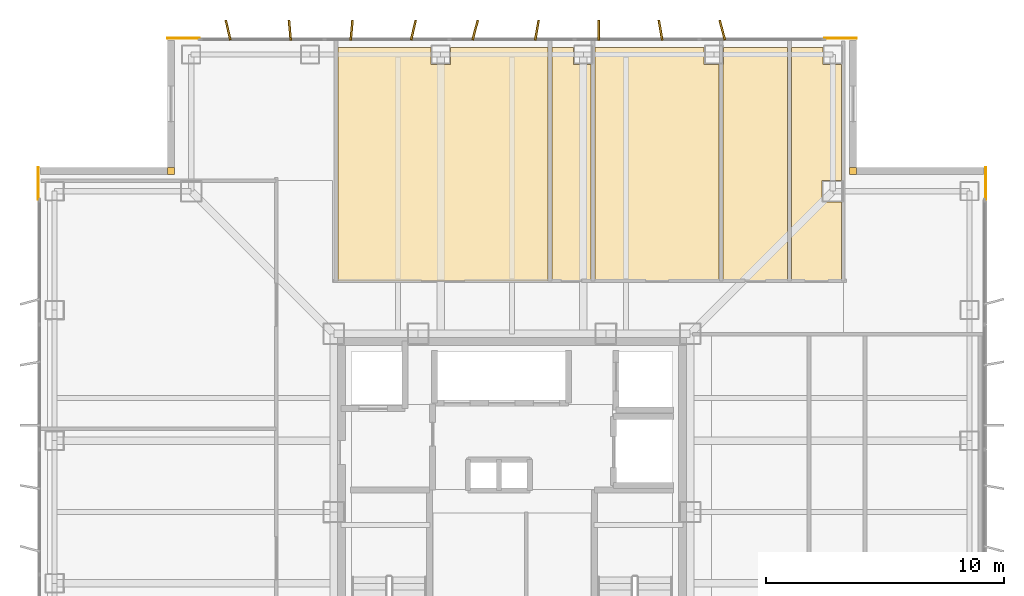
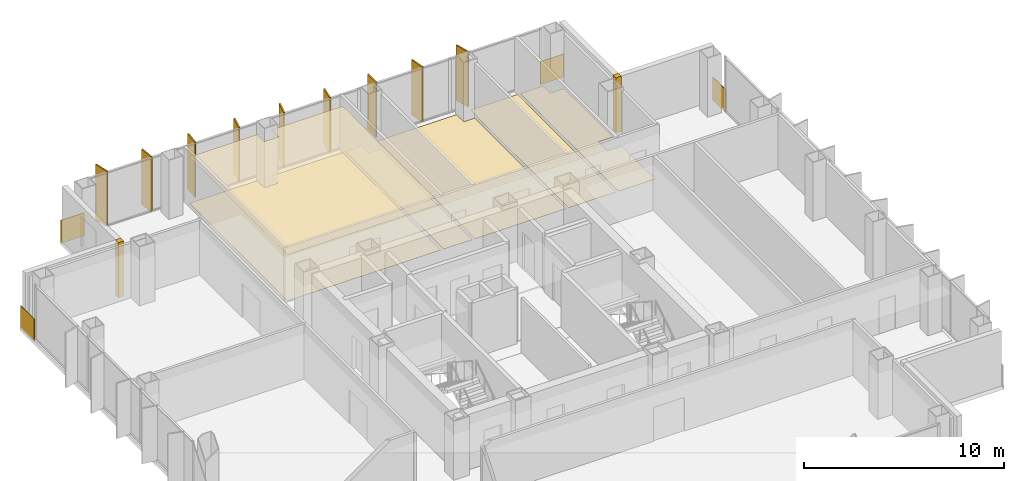
# One storey, part 17 of 17: 12 coverings, 9 shading devices.
"""IFC4 building model written with IfcOpenShell, lengths in metres."""

import ifcopenshell
import ifcopenshell.guid

model = None  # the IFC model being written
_history = None  # IfcOwnerHistory: only IFC2X3 demands one
_inside = {}  # id of a spatial element -> (the spatial element, [elements in it])
_under = {}  # id of a project, library or spatial element -> (it, [spatial elements below it])
_declared = {}  # id of a project -> (the project, [libraries it declares])
_typed = {}  # id of a type object -> (the type object, [elements of that type])
_made_of = {}  # id of a material, layer set ... -> (it, [elements and type objects made of it])


def new_model(schema):
    """Start an empty IFC model of exactly this schema.

    Asked for "IFC4X3", IfcOpenShell would pick the latest addendum, in which some entities
    have other attributes; the version numbers below select the first issue.
    IFC2X3 requires an IfcOwnerHistory on every rooted entity: one is made here for all.
    """
    global model, _history
    if schema == "IFC4X3":
        model = ifcopenshell.file(schema_version=(4, 3, 0, 0))
    else:
        model = ifcopenshell.file(schema=schema)
    _inside.clear()
    _under.clear()
    _declared.clear()
    _typed.clear()
    _made_of.clear()
    _history = None
    if model.schema == "IFC2X3":
        org = make("IfcOrganization", Name="unknown")
        user = make(
            "IfcPersonAndOrganization",
            ThePerson=make("IfcPerson", FamilyName="unknown"),
            TheOrganization=org,
        )
        app = make(
            "IfcApplication",
            ApplicationDeveloper=org,
            Version="unknown",
            ApplicationFullName="unknown",
            ApplicationIdentifier="unknown",
        )
        _history = make(
            "IfcOwnerHistory",
            OwningUser=user,
            OwningApplication=app,
            ChangeAction="ADDED",
            CreationDate=0,
        )
    return model


def make(cls, **values):
    """One entity of the class cls with the attributes given. An attribute that is None is left unset."""
    return model.create_entity(
        cls, **{name: value for name, value in values.items() if value is not None}
    )


def rooted(cls, **values):
    """An entity with a GlobalId (a new one), such as an element, a storey or a relation."""
    return make(cls, GlobalId=ifcopenshell.guid.new(), OwnerHistory=_history, **values)


def si_unit(unit_type, name, prefix=None):
    """IfcSIUnit, for example si_unit("LENGTHUNIT", "METRE", prefix="MILLI")."""
    return make("IfcSIUnit", UnitType=unit_type, Prefix=prefix, Name=name)


def assignment(units):
    """IfcUnitAssignment: the units of a project."""
    return None if units is None else make("IfcUnitAssignment", Units=units)


def point(xyz):
    """IfcCartesianPoint."""
    return None if xyz is None else make("IfcCartesianPoint", Coordinates=xyz)


def direction(xyz):
    """IfcDirection."""
    return None if xyz is None else make("IfcDirection", DirectionRatios=xyz)


def frame(location, z_axis=None, x_axis=None):
    """IfcAxis2Placement3D, a coordinate frame: its origin and axes. An axis left out is left unset."""
    return make(
        "IfcAxis2Placement3D",
        Location=point(location),
        Axis=direction(z_axis),
        RefDirection=direction(x_axis),
    )


def frame_2d(location, x_axis=None):
    """IfcAxis2Placement2D, a coordinate frame in the plane: its origin and x axis."""
    return make(
        "IfcAxis2Placement2D", Location=point(location), RefDirection=direction(x_axis)
    )


def origin():
    """The frame at (0, 0, 0) with its axes left unset."""
    return frame((0.0, 0.0, 0.0))


def origin_2d():
    """The frame at (0, 0) in the plane with its x axis left unset."""
    return frame_2d((0.0, 0.0))


def place(relative_to, where):
    """IfcLocalPlacement: puts the frame where relative to a parent placement (None: the world)."""
    return make(
        "IfcLocalPlacement", PlacementRelTo=relative_to, RelativePlacement=where
    )


def context(
    kind, dimensions, precision=None, world=None, true_north=None, identifier=None
):
    """IfcGeometricRepresentationContext, for example the 3D "Model" context."""
    return make(
        "IfcGeometricRepresentationContext",
        ContextIdentifier=identifier,
        ContextType=kind,
        CoordinateSpaceDimension=dimensions,
        Precision=precision,
        WorldCoordinateSystem=world,
        TrueNorth=true_north,
    )


def subcontext(parent, identifier, kind, view, scale=None):
    """IfcGeometricRepresentationSubContext, for example "Body" below "Model"."""
    return make(
        "IfcGeometricRepresentationSubContext",
        ContextIdentifier=identifier,
        ContextType=kind,
        ParentContext=parent,
        TargetScale=scale,
        TargetView=view,
    )


def project(units=None, contexts=None):
    """IfcProject with its units and contexts."""
    return rooted(
        "IfcProject",
        Name="project",
        RepresentationContexts=contexts,
        UnitsInContext=assignment(units),
    )


def spatial(cls, under=None, at=None, **own):
    """A site, building, storey or space (cls), placed at a placement, below another one or the project."""
    s = rooted(cls, ObjectPlacement=at, **own)
    if under is not None:
        _under.setdefault(under.id(), (under, []))[1].append(s)
    return s


def polyline(points):
    """IfcPolyline through the points."""
    return make("IfcPolyline", Points=[point(p) for p in points])


def profile(cls, at=None, kind="AREA", **sizes):
    """A parametric profile (cls). Its sizes go by their IFC names, for example OverallWidth=200.0."""
    return make(cls, ProfileType=kind, Position=at, **sizes)


def rectangle(**sizes):
    """IfcRectangleProfileDef."""
    return profile("IfcRectangleProfileDef", **sizes)


def outline(outer, holes=None, kind="AREA"):
    """IfcArbitraryClosedProfileDef: a profile drawn as a closed curve; with holes, ...WithVoids."""
    if holes is None:
        return make("IfcArbitraryClosedProfileDef", ProfileType=kind, OuterCurve=outer)
    return make(
        "IfcArbitraryProfileDefWithVoids",
        ProfileType=kind,
        OuterCurve=outer,
        InnerCurves=holes,
    )


def extrude(swept, where, along, depth):
    """IfcExtrudedAreaSolid: the profile swept, set in the frame where, extruded along a direction by depth."""
    return make(
        "IfcExtrudedAreaSolid",
        SweptArea=swept,
        Position=where,
        ExtrudedDirection=direction(along),
        Depth=depth,
    )


def shape(context_of_items, identifier, shape_type, items):
    """IfcShapeRepresentation: the items that make up one representation, for example the "Body"."""
    return make(
        "IfcShapeRepresentation",
        ContextOfItems=context_of_items,
        RepresentationIdentifier=identifier,
        RepresentationType=shape_type,
        Items=items,
    )


def material(Name=None, Category=None):
    """IfcMaterial."""
    return make("IfcMaterial", Name=Name, Category=Category)


def layer(
    of_material, thickness, ventilated=None, Name=None, Category=None, Priority=None
):
    """IfcMaterialLayer: one layer of a wall or slab, of a material (None: an air gap)."""
    return make(
        "IfcMaterialLayer",
        Material=of_material,
        LayerThickness=thickness,
        IsVentilated=ventilated,
        Name=Name,
        Category=Category,
        Priority=Priority,
    )


def layer_set(layers, Name=None):
    """IfcMaterialLayerSet."""
    return make("IfcMaterialLayerSet", MaterialLayers=layers, LayerSetName=Name)


def made_of(thing, what):
    """Note that an element or type object is made of a material, layer set ...; save() writes the relation."""
    if what is not None:
        _made_of.setdefault(what.id(), (what, []))[1].append(thing)
    return thing


def type_object(cls, material=None, **own):
    """A type object (cls), such as IfcWallType, which elements share."""
    return made_of(rooted(cls, **own), material)


def element(
    cls,
    number,
    at=None,
    inside=None,
    cuts=None,
    type_object=None,
    material=None,
    context=None,
    identifier="Body",
    shape_type=None,
    held_by="IfcProductDefinitionShape",
    body=None,
    shapes=None,
    **own,
):
    """One element of the class cls, such as IfcWall. Its Tag is "e" and its number.

    at: its placement. inside: the storey or other place that contains it. cuts: it is an
    opening in that element (IfcRelVoidsElement). A single representation is given by context,
    identifier, shape_type and body (its items); several are given by shapes. held_by: the class
    of the entity that holds the representations. save() writes the other relations.
    """
    e = rooted(cls, Tag="e%d" % number, ObjectPlacement=at, **own)
    if body is not None:
        shapes = [shape(context, identifier, shape_type, body)]
    if shapes is not None:
        e.Representation = make(held_by, Representations=shapes)
    if inside is not None:
        _inside.setdefault(inside.id(), (inside, []))[1].append(e)
    if cuts is not None:
        rooted(
            "IfcRelVoidsElement", RelatingBuildingElement=cuts, RelatedOpeningElement=e
        )
    if type_object is not None:
        _typed.setdefault(type_object.id(), (type_object, []))[1].append(e)
    return made_of(e, material)


def aggregate(whole, parts):
    """IfcRelAggregates: a whole, such as a stair, and the parts it consists of."""
    return rooted("IfcRelAggregates", RelatingObject=whole, RelatedObjects=parts)


def save(model, path):
    """Write the relations noted so far, then the file.

    IfcRelAggregates (storeys below a building ...), IfcRelContainedInSpatialStructure (elements
    in a storey), IfcRelDefinesByType, IfcRelAssociatesMaterial and IfcRelDeclares: one each for
    every whole, place, type object, material and project.
    """
    for whole, parts in _under.values():
        aggregate(whole, parts)
    for where, things in _inside.values():
        rooted(
            "IfcRelContainedInSpatialStructure",
            RelatedElements=things,
            RelatingStructure=where,
        )
    for kind, things in _typed.values():
        rooted("IfcRelDefinesByType", RelatedObjects=things, RelatingType=kind)
    for what, things in _made_of.values():
        rooted("IfcRelAssociatesMaterial", RelatedObjects=things, RelatingMaterial=what)
    for by, libraries in _declared.values():
        rooted("IfcRelDeclares", RelatingContext=by, RelatedDefinitions=libraries)
    model.write(path)


model = new_model("IFC4")

# Units and contexts
model_context = context("Model", 3, precision=1e-05, world=origin(), true_north=direction((0.0, 1.0)))
body_context = subcontext(model_context, "Body", "Model", "MODEL_VIEW")
ifc_project = project(units=[si_unit("LENGTHUNIT", "METRE"), si_unit("AREAUNIT", "SQUARE_METRE"), si_unit("VOLUMEUNIT", "CUBIC_METRE"), si_unit("PLANEANGLEUNIT", "RADIAN"), si_unit("MASSUNIT", "GRAM", prefix="KILO")], contexts=[model_context])

# Site, building, storey
site_placement = place(None, origin())
site = spatial("IfcSite", under=ifc_project, at=site_placement, CompositionType="ELEMENT")
building_placement = place(site_placement, origin())
building = spatial("IfcBuilding", under=site, at=building_placement, Name="Trevonay Congress Spire", CompositionType="ELEMENT")
storey_placement = place(building_placement, frame((0.0, 0.0, 184.199951171875)))
storey = spatial("IfcBuildingStorey", under=building, at=storey_placement, Name="L47", CompositionType="ELEMENT", Elevation=184.199951171875)

# Coverings
ifc_material_1 = material(Name="Acoustic Mineral Fibre Board", Category="gypsum")
ifc_layer_1 = layer(ifc_material_1, 0.02490234375, Name="Acoustic Mineral Fibre Board")
ifc_layer_set_1 = layer_set([ifc_layer_1], Name="Acoustic Mineral Fibre Board")
covering_type_1 = type_object("IfcCoveringType", Name="COV-CEIL-ACOUSTIC", PredefinedType="CEILING", material=ifc_layer_set_1)
covering_1_placement = place(storey_placement, frame((0.0, 0.0, 2.81005859375)))
element("IfcCovering", 1, at=covering_1_placement, inside=storey, type_object=covering_type_1, Name="L47 Witness Waiting Lounge acoustic suspended ceiling", PredefinedType="CEILING", context=body_context, shape_type="SweptSolid", body=[
    extrude(outline(polyline([(1.52001953125, 19.550048828125), (1.52001953125, 9.72998046875), (-7.320068359375, 9.72998046875), (-7.320068359375, 19.550048828125), (-3.409912109375, 19.550048828125), (-3.409912109375, 18.840087890625), (-2.590087890625, 18.840087890625), (-2.590087890625, 19.550048828125), (1.52001953125, 19.550048828125)])), origin(), (0.0, 0.0, 1.0), 0.02490234375),
])
ifc_material_2 = material(Name="Polished Granite Floor Tile", Category="masonry")
ifc_layer_2 = layer(ifc_material_2, 0.02001953125, Name="Polished Granite Floor Tile")
ifc_layer_set_2 = layer_set([ifc_layer_2], Name="Polished Granite Floor Tile")
covering_type_2 = type_object("IfcCoveringType", Name="COV-FLOOR-STONE", PredefinedType="FLOORING", material=ifc_layer_set_2)
covering_2_placement = place(storey_placement, origin())
element("IfcCovering", 2, at=covering_2_placement, inside=storey, type_object=covering_type_2, Name="L47 Accessible WC floor finish", PredefinedType="FLOORING", context=body_context, shape_type="SweptSolid", body=[
    extrude(outline(polyline([(3.330078125, 9.72998046875), (1.679931640625, 9.72998046875), (1.679931640625, 19.550048828125), (2.590087890625, 19.550048828125), (2.590087890625, 18.840087890625), (3.330078125, 18.840087890625), (3.330078125, 9.72998046875)])), origin(), (0.0, 0.0, 1.0), 0.02001953125),
])
covering_3_placement = place(storey_placement, origin())
element("IfcCovering", 3, at=covering_3_placement, inside=storey, type_object=covering_type_2, Name="L47 Floor Supplies and Copy Room floor finish", PredefinedType="FLOORING", context=body_context, shape_type="SweptSolid", body=[
    extrude(outline(polyline([(8.719970703125, 9.72998046875), (3.489990234375, 9.72998046875), (3.489990234375, 19.550048828125), (8.090087890625, 19.550048828125), (8.090087890625, 18.840087890625), (8.719970703125, 18.840087890625), (8.719970703125, 9.72998046875)])), origin(), (0.0, 0.0, 1.0), 0.02001953125),
])
covering_4_placement = place(storey_placement, origin())
element("IfcCovering", 4, at=covering_4_placement, inside=storey, type_object=covering_type_2, Name="L47 Female Restroom WC floor finish", PredefinedType="FLOORING", context=body_context, shape_type="SweptSolid", body=[
    extrude(outline(polyline([(11.60009765625, 19.550048828125), (11.60009765625, 9.72998046875), (8.8798828125, 9.72998046875), (8.8798828125, 18.840087890625), (8.909912109375, 18.840087890625), (8.909912109375, 19.550048828125), (11.60009765625, 19.550048828125)])), origin(), (0.0, 0.0, 1.0), 0.02001953125),
])
covering_5_placement = place(storey_placement, origin())
element("IfcCovering", 5, at=covering_5_placement, inside=storey, type_object=covering_type_2, Name="L47 Floor Supplies and Copy Room floor finish", PredefinedType="FLOORING", context=body_context, shape_type="SweptSolid", body=[
    extrude(outline(polyline([(13.8701171875, 9.72998046875), (11.760009765625, 9.72998046875), (11.760009765625, 19.550048828125), (13.090087890625, 19.550048828125), (13.090087890625, 18.840087890625), (13.8701171875, 18.840087890625), (13.8701171875, 13.9599609375), (13.0400390625, 13.9599609375), (13.0400390625, 13.0400390625), (13.8701171875, 13.0400390625), (13.8701171875, 9.72998046875)])), origin(), (0.0, 0.0, 1.0), 0.02001953125),
])
ifc_material_3 = material(Name="Engineered Oak Flooring", Category="wood")
ifc_layer_3 = layer(ifc_material_3, 0.01806640625, Name="Engineered Oak Flooring")
ifc_layer_set_3 = layer_set([ifc_layer_3], Name="Engineered Oak Flooring")
covering_type_3 = type_object("IfcCoveringType", Name="COV-FLOOR-TIMBER", PredefinedType="FLOORING", material=ifc_layer_set_3)
covering_6_placement = place(storey_placement, origin())
element("IfcCovering", 6, at=covering_6_placement, inside=storey, type_object=covering_type_3, Name="L47 Witness Waiting Lounge floor finish", PredefinedType="FLOORING", context=body_context, shape_type="SweptSolid", body=[
    extrude(outline(polyline([(1.52001953125, 19.550048828125), (1.52001953125, 9.72998046875), (-7.320068359375, 9.72998046875), (-7.320068359375, 19.550048828125), (-3.409912109375, 19.550048828125), (-3.409912109375, 18.840087890625), (-2.590087890625, 18.840087890625), (-2.590087890625, 19.550048828125), (1.52001953125, 19.550048828125)])), origin(), (0.0, 0.0, 1.0), 0.01806640625),
])
ifc_material_4 = material(Name="Pale Anodised Aluminium EN AW-6063-T6", Category="aluminium")
ifc_layer_4 = layer(ifc_material_4, 0.0400390625, Name="Pale Anodised Aluminium EN AW-6063-T6")
ifc_layer_set_4 = layer_set([ifc_layer_4], Name="Pale Anodised Aluminium EN AW-6063-T6")
covering_type_4 = type_object("IfcCoveringType", Name="COV-SPANDREL-PALE-METAL", PredefinedType="CLADDING", material=ifc_layer_set_4)
covering_7_placement = place(storey_placement, origin())
element("IfcCovering", 7, at=covering_7_placement, inside=storey, type_object=covering_type_4, Name="L47 NE re-entrant notch corner closure trim", PredefinedType="CLADDING", context=body_context, shape_type="SweptSolid", body=[
    extrude(outline(polyline([(14.199951171875, 14.199951171875), (14.5, 14.199951171875), (14.5, 14.5), (14.199951171875, 14.5), (14.199951171875, 14.199951171875)])), origin(), (0.0, 0.0, 1.0), 3.360107421875),
])
for number, where, z_axis, x_axis, name in (
    (8, (19.93994140625, 13.14990234375, -0.14990234375), (0.0, 0.0, 1.0), (0.0, 1.0, 0.0), "L47 NE corner pier spandrel cladding 1"),
    (9, (13.14990234375, 19.93994140625, -0.14990234375), (0.0, 0.0, 1.0), (1.0, 0.0, 0.0), "L47 NE corner pier spandrel cladding 2"),
):
    element("IfcCovering", number, at=place(storey_placement, frame(where, z_axis=z_axis, x_axis=x_axis)), inside=storey, type_object=covering_type_4, Name=name, PredefinedType="CLADDING", context=body_context, shape_type="SweptSolid", body=[
        extrude(rectangle(XDim=1.35009765625, YDim=0.0400390625, at=frame_2d((0.675048828125, 0.0))), origin(), (0.0, 0.0, 1.0), 1.39990234375),
    ])
covering_8_placement = place(storey_placement, origin())
element("IfcCovering", 10, at=covering_8_placement, inside=storey, type_object=covering_type_4, Name="L47 NW re-entrant notch corner closure trim", PredefinedType="CLADDING", context=body_context, shape_type="SweptSolid", body=[
    extrude(outline(polyline([(-14.5, 14.199951171875), (-14.199951171875, 14.199951171875), (-14.199951171875, 14.5), (-14.5, 14.5), (-14.5, 14.199951171875)])), origin(), (0.0, 0.0, 1.0), 3.360107421875),
])
for number, where, z_axis, x_axis, name in (
    (11, (-19.93994140625, 13.14990234375, -0.14990234375), (0.0, 0.0, 1.0), (0.0, 1.0, 0.0), "L47 NW corner pier spandrel cladding 1"),
    (12, (-13.14990234375, 19.93994140625, -0.14990234375), (0.0, 0.0, 1.0), (-1.0, 0.0, 0.0), "L47 NW corner pier spandrel cladding 2"),
):
    element("IfcCovering", number, at=place(storey_placement, frame(where, z_axis=z_axis, x_axis=x_axis)), inside=storey, type_object=covering_type_4, Name=name, PredefinedType="CLADDING", context=body_context, shape_type="SweptSolid", body=[
        extrude(rectangle(XDim=1.35009765625, YDim=0.0400390625, at=frame_2d((0.675048828125, 0.0))), origin(), (0.0, 0.0, 1.0), 1.39990234375),
    ])

# Shading devices
shading_device_type = type_object("IfcShadingDeviceType", Name="SHD-FIN-Z3-PALE-METAL", PredefinedType="USERDEFINED", material=ifc_material_4)
for number, where, z_axis, x_axis, name in (
    (13, (-11.949951171875, 20.280029296875, 0.0), (0.0, 0.0, 1.0), (0.97440931131, 0.224780991261, 0.0), "L47 N vertical pale-metal solar fin 1"),
    (14, (-9.35009765625, 20.280029296875, 0.0), (0.0, 0.0, 1.0), (0.995994383933, 0.089415810539, 0.0), "L47 N vertical pale-metal solar fin 2"),
    (15, (-6.75, 20.280029296875, 0.0), (0.0, 0.0, 1.0), (0.995994383933, -0.089415810539, 0.0), "L47 N vertical pale-metal solar fin 3"),
    (16, (-4.14990234375, 20.280029296875, 0.0), (0.0, 0.0, 1.0), (0.97440931131, -0.224780991261, 0.0), "L47 N vertical pale-metal solar fin 4"),
    (17, (-1.550048828125, 20.280029296875, 0.0), (0.0, 0.0, 1.0), (0.966957007154, -0.2549394954, 0.0), "L47 N vertical pale-metal solar fin 5"),
    (18, (1.050048828125, 20.280029296875, 0.0), (0.0, 0.0, 1.0), (0.98587937025, -0.16745706111, 0.0), "L47 N vertical pale-metal solar fin 6"),
    (19, (3.64990234375, 20.280029296875, 0.0), (0.0, 0.0, 1.0), (1.0, 0.0, 0.0), "L47 N vertical pale-metal solar fin 7"),
    (20, (6.25, 20.280029296875, 0.0), (0.0, 0.0, 1.0), (0.98587937025, 0.16745706111, 0.0), "L47 N vertical pale-metal solar fin 8"),
    (21, (8.85009765625, 20.280029296875, 0.0), (0.0, 0.0, 1.0), (0.966957007154, 0.2549394954, 0.0), "L47 N vertical pale-metal solar fin 9"),
):
    element("IfcShadingDevice", number, at=place(storey_placement, frame(where, z_axis=z_axis, x_axis=x_axis)), inside=storey, type_object=shading_device_type, Name=name, ObjectType="SOLAR FIN", PredefinedType="USERDEFINED", context=body_context, shape_type="SweptSolid", body=[
        extrude(rectangle(XDim=0.080078125, YDim=0.85009765625, at=origin_2d()), origin(), (0.0, 0.0, 1.0), 3.360107421875),
    ])

save(model, "model.ifc")
